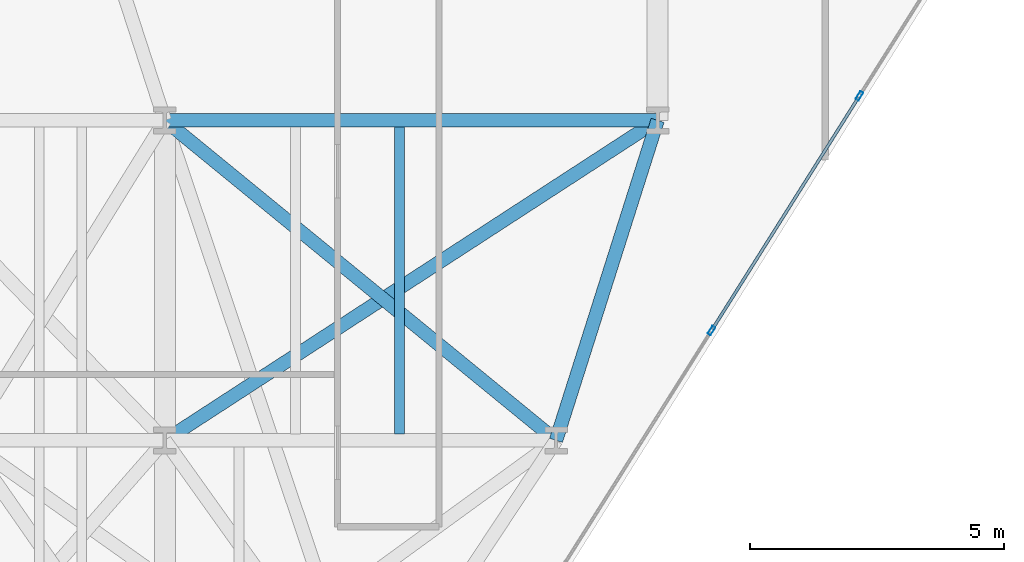
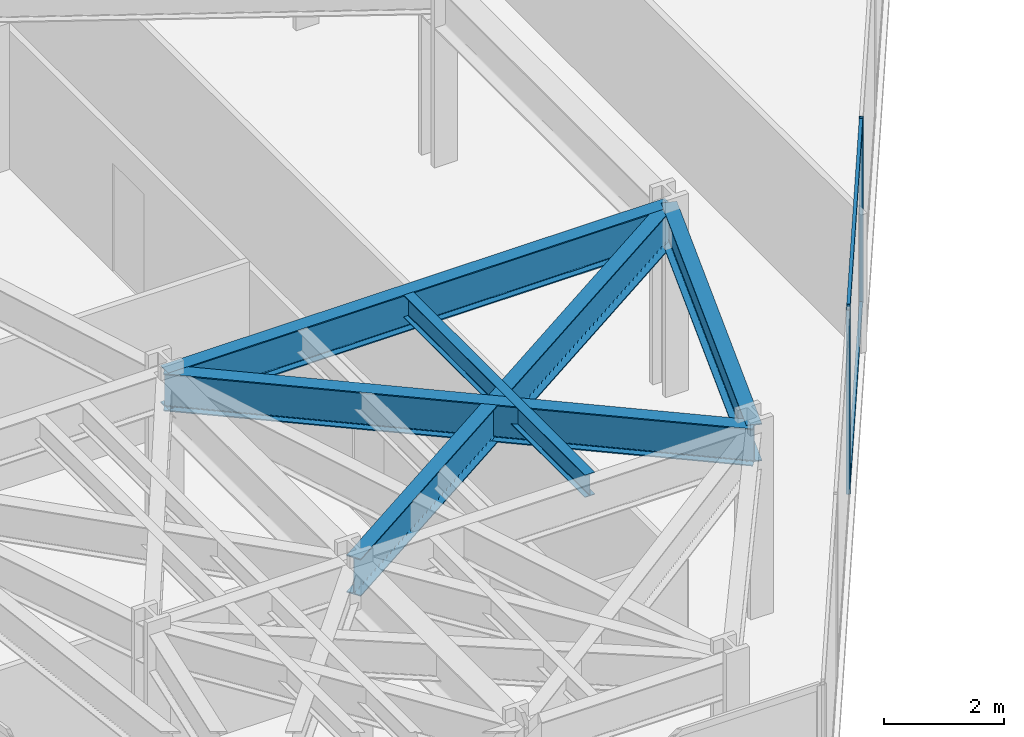
# One storey, part 6 of 24: 5 beams, 4 members, 1 element without a shape of its own.
"""IFC4 building model written with IfcOpenShell, lengths in metres."""

from ifc_helpers import new_model, si_unit, direction, frame, origin, origin_2d, place, context, subcontext, project, spatial, hollow_rectangle, i_section, extrude, material, layer, layer_set, material_profile, profile_set, type_object, element, aggregate, save


model = new_model("IFC4")

# Units and contexts
model_context = context("Model", 3, precision=1e-05, world=origin(), true_north=direction((0.0, 1.0)))
body_context = subcontext(model_context, "Body", "Model", "MODEL_VIEW")
ifc_project = project(units=[si_unit("LENGTHUNIT", "METRE"), si_unit("AREAUNIT", "SQUARE_METRE"), si_unit("VOLUMEUNIT", "CUBIC_METRE"), si_unit("PLANEANGLEUNIT", "RADIAN"), si_unit("MASSUNIT", "GRAM", prefix="KILO")], contexts=[model_context])

# Site, building, storey
site_placement = place(None, origin())
site = spatial("IfcSite", under=ifc_project, at=site_placement, CompositionType="ELEMENT")
building_placement = place(site_placement, origin())
building = spatial("IfcBuilding", under=site, at=building_placement, Name="Kravanh Interchange Tower", CompositionType="ELEMENT")
storey_placement = place(building_placement, frame((0.0, 0.0, 53.5)))
storey = spatial("IfcBuildingStorey", under=building, at=storey_placement, Name="L12", CompositionType="ELEMENT", Elevation=53.5)

# Curtain wall, members
ifc_material_1 = material(Name="Anodised Bronze Aluminium", Category="aluminium")
ifc_layer = layer(ifc_material_1, 0.179931640625)
ifc_layer_set = layer_set([ifc_layer], Name="Unitised Curtain Wall System CW-Z1 Lower Office")
curtain_wall_type = type_object("IfcCurtainWallType", Name="Unitised Curtain Wall System CW-Z1 Lower Office", PredefinedType="NOTDEFINED", material=ifc_layer_set)
curtain_wall_placement = place(storey_placement, origin())
curtain_wall = element("IfcCurtainWall", 1, at=curtain_wall_placement, inside=storey, type_object=curtain_wall_type, Name="L12 Unitised Curtain Wall CW-L12-05", PredefinedType="NOTDEFINED")
ifc_material_2 = material(Name="Anodised Bronze Aluminium", Category="aluminium")
ifc_material_profile_1 = material_profile(ifc_material_2, hollow_rectangle(XDim=0.070068359375, YDim=0.179931640625, WallThickness=0.00390625, at=origin_2d()), Name="ALU70X180X4")
ifc_profile_set_1 = profile_set([ifc_material_profile_1], Name="Anodised Bronze Aluminium")
member_type_1 = type_object("IfcMemberType", Name="Curtain Wall Mullion ALU70X180X4 Bronze", PredefinedType="MULLION", material=ifc_profile_set_1)
member_1_placement = place(storey_placement, frame((31.173583984375, 14.98291015625, 0.0), z_axis=(0.0, 0.0, 1.0), x_axis=(0.845925530786, -0.53330103728, 0.0)))
member_1 = element("IfcMember", 2, at=member_1_placement, type_object=member_type_1, Name="CW-Z1 mullion 3", PredefinedType="MULLION", context=body_context, shape_type="SweptSolid", body=[
    extrude(hollow_rectangle(XDim=0.070068359375, YDim=0.179931640625, WallThickness=0.00390625, at=origin_2d()), origin(), (0.0, 0.0, 1.0), 3.739990234375),
])
member_2_placement = place(storey_placement, frame((28.26025390625, 10.362060546875, 0.0), z_axis=(0.0, 0.0, 1.0), x_axis=(0.845925530786, -0.53330103728, 0.0)))
member_2 = element("IfcMember", 3, at=member_2_placement, type_object=member_type_1, Name="CW-Z1 mullion 4", PredefinedType="MULLION", context=body_context, shape_type="SweptSolid", body=[
    extrude(hollow_rectangle(XDim=0.070068359375, YDim=0.179931640625, WallThickness=0.00390625, at=origin_2d()), origin(), (0.0, 0.0, 1.0), 3.739990234375),
])
ifc_material_3 = material(Name="Anodised Bronze Aluminium", Category="aluminium")
ifc_material_profile_2 = material_profile(ifc_material_3, hollow_rectangle(XDim=0.06005859375, YDim=0.139892578125, WallThickness=0.00390625, at=origin_2d()), Name="ALU60X140X4")
ifc_profile_set_2 = profile_set([ifc_material_profile_2], Name="Anodised Bronze Aluminium")
member_type_2 = type_object("IfcMemberType", Name="Curtain Wall Transom ALU60X140X4 Bronze", PredefinedType="USERDEFINED", material=ifc_profile_set_2)
member_3_placement = place(storey_placement, frame((31.15478515625, 14.953369140625, 0.030029296875), z_axis=(-0.533279090152, -0.845939366626, 0.0), x_axis=(0.845939366626, -0.533279090152, 0.0)))
member_3 = element("IfcMember", 4, at=member_3_placement, type_object=member_type_2, Name="CW-Z1 transom 3.1", ObjectType="TRANSOM", PredefinedType="USERDEFINED", context=body_context, shape_type="SweptSolid", body=[
    extrude(hollow_rectangle(XDim=0.06005859375, YDim=0.139892578125, WallThickness=0.00390625, at=origin_2d()), origin(), (0.0, 0.0, 1.0), 5.392578125),
])
member_4_placement = place(storey_placement, frame((31.15478515625, 14.953369140625, 3.7099609375), z_axis=(-0.533279090152, -0.845939366626, 0.0), x_axis=(0.845939366626, -0.533279090152, 0.0)))
member_4 = element("IfcMember", 5, at=member_4_placement, type_object=member_type_2, Name="CW-Z1 transom 3.2", ObjectType="TRANSOM", PredefinedType="USERDEFINED", context=body_context, shape_type="SweptSolid", body=[
    extrude(hollow_rectangle(XDim=0.06005859375, YDim=0.139892578125, WallThickness=0.00390625, at=origin_2d()), origin(), (0.0, 0.0, 1.0), 5.392578125),
])
aggregate(curtain_wall, [member_1, member_2, member_3, member_4])

# Beams
ifc_material_4 = material(Name="Structural Steel S355", Category="steel")
ifc_material_profile_3 = material_profile(ifc_material_4, i_section(OverallWidth=0.18994140625, OverallDepth=0.45703125, WebThickness=0.009033203125, FlangeThickness=0.014404296875, FilletRadius=0.01806640625, at=origin_2d()), Name="W18X50")
ifc_profile_set_3 = profile_set([ifc_material_profile_3], Name="Structural Steel S355")
beam_type_1 = type_object("IfcBeamType", Name="Floor Joist W18X50 Structural Steel S355", PredefinedType="JOIST", material=ifc_profile_set_3)
beam_1_placement = place(storey_placement, frame((22.117919921875, 8.32861328125, 3.511474609375), z_axis=(0.0, 1.0, 0.0), x_axis=(-1.0, 0.0, 0.0)))
element("IfcBeam", 6, at=beam_1_placement, inside=storey, type_object=beam_type_1, Name="L12 Secondary Floor Joist 10", PredefinedType="JOIST", context=body_context, shape_type="SweptSolid", body=[
    extrude(i_section(OverallWidth=0.18994140625, OverallDepth=0.45703125, WebThickness=0.009033203125, FlangeThickness=0.014404296875, FilletRadius=0.01806640625, at=origin_2d()), origin(), (0.0, 0.0, 1.0), 6.04296875),
])
ifc_material_5 = material(Name="Structural Steel S355", Category="steel")
ifc_material_profile_4 = material_profile(ifc_material_5, i_section(OverallWidth=0.26708984375, OverallDepth=0.761962890625, WebThickness=0.014404296875, FlangeThickness=0.021484375, FilletRadius=0.02490234375, at=origin_2d()), Name="W30X116")
ifc_profile_set_4 = profile_set([ifc_material_profile_4], Name="Structural Steel S355")
beam_type_2 = type_object("IfcBeamType", Name="Floor Spandrel W30X116 Structural Steel S355", PredefinedType="SPANDREL", material=ifc_profile_set_4)
beam_2_placement = place(storey_placement, frame((17.5, 8.199951171875, 3.35888671875), z_axis=(0.838637911458, 0.544689318295, 0.0), x_axis=(-0.544689318295, 0.838637911458, 0.0)))
element("IfcBeam", 7, at=beam_2_placement, inside=storey, type_object=beam_type_2, Name="L12 Perimeter Spandrel 139", PredefinedType="SPANDREL", context=body_context, shape_type="SweptSolid", body=[
    extrude(i_section(OverallWidth=0.26708984375, OverallDepth=0.761962890625, WebThickness=0.014404296875, FlangeThickness=0.021484375, FilletRadius=0.02490234375, at=origin_2d()), origin(), (0.0, 0.0, 1.0), 11.56640625),
])
beam_3_placement = place(storey_placement, frame((25.199951171875, 8.199951171875, 3.35888671875), z_axis=(0.30257700201, 0.953124943465, 0.0), x_axis=(-0.953124943465, 0.30257700201, 0.0)))
element("IfcBeam", 8, at=beam_3_placement, inside=storey, type_object=beam_type_2, Name="L12 Perimeter Spandrel 140", PredefinedType="SPANDREL", context=body_context, shape_type="SweptSolid", body=[
    extrude(i_section(OverallWidth=0.26708984375, OverallDepth=0.761962890625, WebThickness=0.014404296875, FlangeThickness=0.021484375, FilletRadius=0.02490234375, at=origin_2d()), origin(), (0.0, 0.0, 1.0), 6.60986328125),
])
beam_4_placement = place(storey_placement, frame((25.199951171875, 8.199951171875, 3.35888671875), z_axis=(-0.773952925799, 0.633243135491, 0.0), x_axis=(-0.633243135491, -0.773952925799, 0.0)))
element("IfcBeam", 9, at=beam_4_placement, inside=storey, type_object=beam_type_2, Name="L12 Perimeter Spandrel 141", PredefinedType="SPANDREL", context=body_context, shape_type="SweptSolid", body=[
    extrude(i_section(OverallWidth=0.26708984375, OverallDepth=0.761962890625, WebThickness=0.014404296875, FlangeThickness=0.021484375, FilletRadius=0.02490234375, at=origin_2d()), origin(), (0.0, 0.0, 1.0), 9.948974609375),
])
beam_5_placement = place(storey_placement, frame((17.5, 14.5, 3.35888671875), z_axis=(1.0, 0.0, 0.0), x_axis=(0.0, 1.0, 0.0)))
element("IfcBeam", 10, at=beam_5_placement, inside=storey, type_object=beam_type_2, Name="L12 Perimeter Spandrel 144", PredefinedType="SPANDREL", context=body_context, shape_type="SweptSolid", body=[
    extrude(i_section(OverallWidth=0.26708984375, OverallDepth=0.761962890625, WebThickness=0.014404296875, FlangeThickness=0.021484375, FilletRadius=0.02490234375, at=origin_2d()), origin(), (0.0, 0.0, 1.0), 9.699951171875),
])

save(model, "model.ifc")
